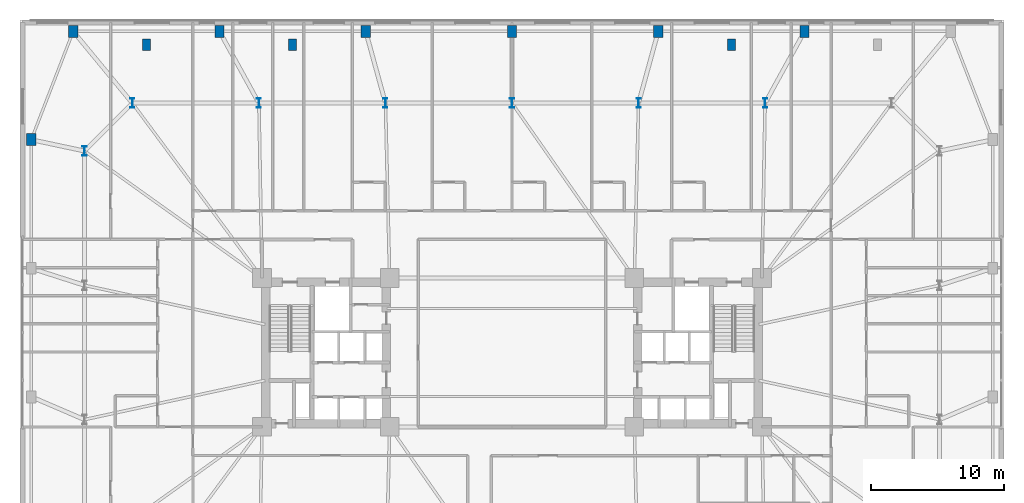
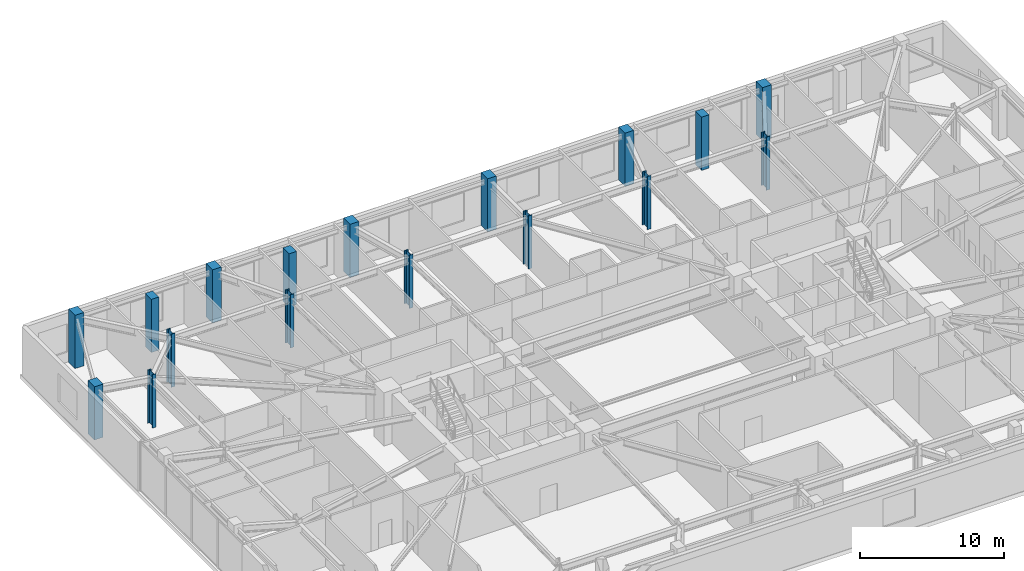
# One storey, part 2 of 21: 17 columns.
"""IFC4 building model written with IfcOpenShell, lengths in metres."""

from ifc_helpers import new_model, si_unit, direction, frame, origin, origin_2d, place, context, subcontext, project, spatial, rectangle, i_section, extrude, material, material_profile, profile_set, type_object, element, save


model = new_model("IFC4")

# Units and contexts
model_context = context("Model", 3, precision=1e-05, world=origin(), true_north=direction((0.0, 1.0)))
body_context = subcontext(model_context, "Body", "Model", "MODEL_VIEW")
ifc_project = project(units=[si_unit("LENGTHUNIT", "METRE"), si_unit("AREAUNIT", "SQUARE_METRE"), si_unit("VOLUMEUNIT", "CUBIC_METRE"), si_unit("PLANEANGLEUNIT", "RADIAN"), si_unit("MASSUNIT", "GRAM", prefix="KILO")], contexts=[model_context])

# Site, building, storey
site_placement = place(None, origin())
site = spatial("IfcSite", under=ifc_project, at=site_placement, CompositionType="ELEMENT")
building_placement = place(site_placement, origin())
building = spatial("IfcBuilding", under=site, at=building_placement, Name="Qobustan Lattice House", CompositionType="ELEMENT")
storey_placement = place(building_placement, frame((0.0, 0.0, 22.5)))
storey = spatial("IfcBuildingStorey", under=building, at=storey_placement, Name="L05", CompositionType="ELEMENT", Elevation=22.5)

# Columns
ifc_material_1 = material(Name="Concrete C50/60", Category="concrete")
ifc_material_profile_1 = material_profile(ifc_material_1, rectangle(XDim=0.60009765625, YDim=0.85009765625, at=origin_2d()), Name="RC600x850")
ifc_profile_set_1 = profile_set([ifc_material_profile_1], Name="Concrete C50/60")
column_type_1 = type_object("IfcColumnType", Name="COL-PIL-600x850", PredefinedType="PILASTER", material=ifc_profile_set_1)
for number, where, z_axis, x_axis, name in (
    (1, (-27.5, 23.14990234375, 0.0), (0.0, 0.0, 1.0), (1.0, 0.0, 0.0), "L05 colonnade pilaster N1"),
    (2, (-16.5, 23.14990234375, 0.0), (0.0, 0.0, 1.0), (1.0, 0.0, 0.0), "L05 colonnade pilaster N2"),
    (3, (16.5, 23.14990234375, 0.0), (0.0, 0.0, 1.0), (1.0, 0.0, 0.0), "L05 colonnade pilaster N3"),
):
    element("IfcColumn", number, at=place(storey_placement, frame(where, z_axis=z_axis, x_axis=x_axis)), inside=storey, type_object=column_type_1, Name=name, PredefinedType="PILASTER", context=body_context, shape_type="SweptSolid", body=[
        extrude(rectangle(XDim=0.60009765625, YDim=0.85009765625, at=origin_2d()), origin(), (0.0, 0.0, 1.0), 4.5),
    ])
ifc_material_2 = material(Name="Concrete C50/60", Category="concrete")
ifc_material_profile_2 = material_profile(ifc_material_2, rectangle(XDim=0.699951171875, YDim=0.89990234375, at=origin_2d()), Name="RC700x900")
ifc_profile_set_2 = profile_set([ifc_material_profile_2], Name="Concrete C50/60")
column_type_2 = type_object("IfcColumnType", Name="COL-RC-700x900", PredefinedType="COLUMN", material=ifc_profile_set_2)
for number, where, z_axis, x_axis, name in (
    (4, (-33.0, 24.14990234375, 0.0), (0.0, 0.0, 1.0), (1.0, 0.0, 0.0), "L05 podium column PN1"),
    (5, (-22.0, 24.14990234375, 0.0), (0.0, 0.0, 1.0), (1.0, 0.0, 0.0), "L05 podium column PN2"),
    (6, (-11.0, 24.14990234375, 0.0), (0.0, 0.0, 1.0), (1.0, 0.0, 0.0), "L05 podium column PN3"),
    (7, (0.0, 24.14990234375, 0.0), (0.0, 0.0, 1.0), (1.0, 0.0, 0.0), "L05 podium column PN4"),
    (8, (11.0, 24.14990234375, 0.0), (0.0, 0.0, 1.0), (1.0, 0.0, 0.0), "L05 podium column PN5"),
    (9, (22.0, 24.14990234375, 0.0), (0.0, 0.0, 1.0), (1.0, 0.0, 0.0), "L05 podium column PN6"),
    (10, (-36.14990234375, 16.0, 0.0), (0.0, 0.0, 1.0), (1.0, 0.0, 0.0), "L05 podium column PW4"),
):
    element("IfcColumn", number, at=place(storey_placement, frame(where, z_axis=z_axis, x_axis=x_axis)), inside=storey, type_object=column_type_2, Name=name, PredefinedType="COLUMN", context=body_context, shape_type="SweptSolid", body=[
        extrude(rectangle(XDim=0.699951171875, YDim=0.89990234375, at=origin_2d()), origin(), (0.0, 0.0, 1.0), 4.5),
    ])
ifc_material_3 = material(Name="Steel S460", Category="steel")
ifc_material_profile_3 = material_profile(ifc_material_3, i_section(OverallWidth=0.303955078125, OverallDepth=0.716064453125, WebThickness=0.02099609375, FlangeThickness=0.0400390625, FilletRadius=0.027099609375, at=origin_2d()), Name="HEM700")
ifc_profile_set_3 = profile_set([ifc_material_profile_3], Name="Steel S460")
column_type_3 = type_object("IfcColumnType", Name="COL-ST-HEM700", PredefinedType="COLUMN", material=ifc_profile_set_3)
for number, where, z_axis, x_axis, name in (
    (11, (19.033203125, 18.75, 0.0), (0.0, 0.0, 1.0), (1.0, 0.0, 0.0), "L05 tower base column N2"),
    (12, (9.5166015625, 18.75, 0.0), (0.0, 0.0, 1.0), (1.0, 0.0, 0.0), "L05 tower base column N3"),
    (13, (0.0, 18.75, 0.0), (0.0, 0.0, 1.0), (1.0, 0.0, 0.0), "L05 tower base column N4"),
    (14, (-9.5166015625, 18.75, 0.0), (0.0, 0.0, 1.0), (1.0, 0.0, 0.0), "L05 tower base column N5"),
    (15, (-19.033203125, 18.75, 0.0), (0.0, 0.0, 1.0), (1.0, 0.0, 0.0), "L05 tower base column N6"),
    (16, (-28.550048828125, 18.75, 0.0), (0.0, 0.0, 1.0), (1.0, 0.0, 0.0), "L05 tower base column N7"),
    (17, (-32.14990234375, 15.14990234375, 0.0), (0.0, 0.0, 1.0), (1.0, 0.0, 0.0), "L05 tower base column W1"),
):
    element("IfcColumn", number, at=place(storey_placement, frame(where, z_axis=z_axis, x_axis=x_axis)), inside=storey, type_object=column_type_3, Name=name, PredefinedType="COLUMN", context=body_context, shape_type="SweptSolid", body=[
        extrude(i_section(OverallWidth=0.303955078125, OverallDepth=0.716064453125, WebThickness=0.02099609375, FlangeThickness=0.0400390625, FilletRadius=0.027099609375, at=origin_2d()), origin(), (0.0, 0.0, 1.0), 4.5),
    ])

save(model, "model.ifc")
